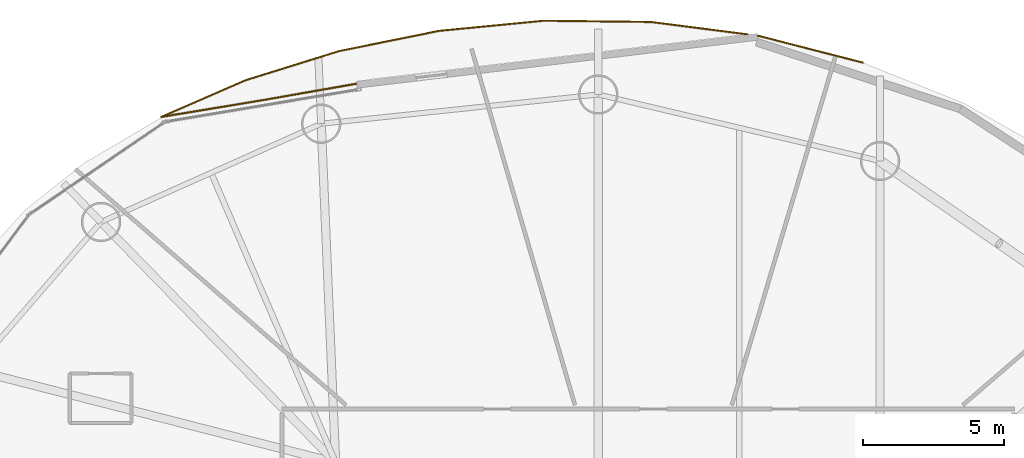
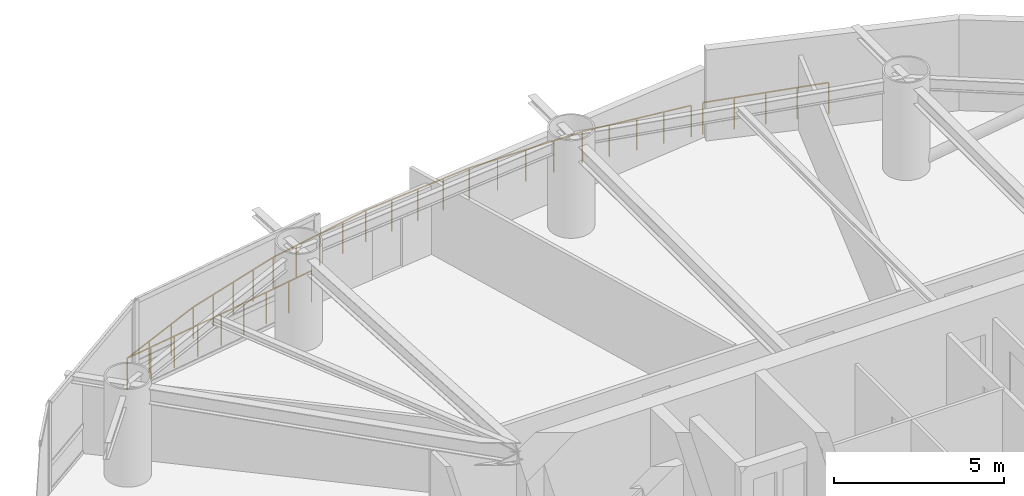
# One storey, part 22 of 22: 9 railings.
"""IFC4 building model written with IfcOpenShell, lengths in metres."""

from ifc_helpers import new_model, si_unit, direction, frame, origin, origin_2d, place, context, subcontext, project, spatial, circle, extrude, material, type_object, element, save


model = new_model("IFC4")

# Units and contexts
model_context = context("Model", 3, precision=1e-05, world=origin(), true_north=direction((0.0, 1.0)))
body_context = subcontext(model_context, "Body", "Model", "MODEL_VIEW")
ifc_project = project(units=[si_unit("LENGTHUNIT", "METRE"), si_unit("AREAUNIT", "SQUARE_METRE"), si_unit("VOLUMEUNIT", "CUBIC_METRE"), si_unit("PLANEANGLEUNIT", "RADIAN"), si_unit("MASSUNIT", "GRAM", prefix="KILO")], contexts=[model_context])

# Site, building, storey
site_placement = place(None, origin())
site = spatial("IfcSite", under=ifc_project, at=site_placement, CompositionType="ELEMENT")
building_placement = place(site_placement, origin())
building = spatial("IfcBuilding", under=site, at=building_placement, Name="Bramvorn Convention Spire", CompositionType="ELEMENT")
storey_placement = place(building_placement, frame((0.0, 0.0, 134.300048828125)))
storey = spatial("IfcBuildingStorey", under=building, at=storey_placement, Name="L33", CompositionType="ELEMENT", Elevation=134.300048828125)

# Railings
ifc_material = material(Name="Bronze Cap-Rail & Laminated Structural Glass Balustrade", Category="glass")
railing_type = type_object("IfcRailingType", Name="RL-TERR-GUARD-1150", PredefinedType="GUARDRAIL", material=ifc_material)
railing_1_placement = place(storey_placement, frame((23.552490234375, 47.02392578125, 0.0)))
element("IfcRailing", 1, at=railing_1_placement, inside=storey, type_object=railing_type, Name="L33 Sky Garden perimeter safety guardrail 1", PredefinedType="GUARDRAIL", context=body_context, shape_type="SweptSolid", body=[
    extrude(circle(Radius=0.02392578125, at=origin_2d()), frame((0.0, 0.0, 1.1259765625), z_axis=(-0.916807458238, -0.39932954376, 0.0), x_axis=(0.39932954376, -0.916807458238, 0.0)), (0.0, 0.0, 1.0), 3.26904296875),
    extrude(circle(Radius=0.02099609375, at=origin_2d()), origin(), (0.0, 0.0, 1.0), 1.101806640625),
    extrude(circle(Radius=0.02099609375, at=origin_2d()), frame((-0.9990234375, -0.43505859375, 0.0)), (0.0, 0.0, 1.0), 1.101806640625),
    extrude(circle(Radius=0.02099609375, at=origin_2d()), frame((-1.998046875, -0.870361328125, 0.0)), (0.0, 0.0, 1.0), 1.101806640625),
    extrude(circle(Radius=0.02099609375, at=origin_2d()), frame((-2.9970703125, -1.305419921875, 0.0)), (0.0, 0.0, 1.0), 1.101806640625),
])
railing_2_placement = place(storey_placement, frame((20.555419921875, 45.718505859375, 0.0)))
element("IfcRailing", 2, at=railing_2_placement, inside=storey, type_object=railing_type, Name="L33 Sky Garden perimeter safety guardrail 2", PredefinedType="GUARDRAIL", context=body_context, shape_type="SweptSolid", body=[
    extrude(circle(Radius=0.02392578125, at=origin_2d()), frame((0.0, 0.0, 1.1259765625), z_axis=(0.986604033942, 0.16313332035, 0.0), x_axis=(-0.16313332035, 0.986604033942, 0.0)), (0.0, 0.0, 1.0), 3.56640625),
    extrude(circle(Radius=0.02099609375, at=origin_2d()), origin(), (0.0, 0.0, 1.0), 1.101806640625),
    extrude(circle(Radius=0.02099609375, at=origin_2d()), frame((0.879638671875, 0.1455078125, 0.0)), (0.0, 0.0, 1.0), 1.101806640625),
    extrude(circle(Radius=0.02099609375, at=origin_2d()), frame((1.75927734375, 0.291015625, 0.0)), (0.0, 0.0, 1.0), 1.101806640625),
    extrude(circle(Radius=0.02099609375, at=origin_2d()), frame((2.638916015625, 0.436279296875, 0.0)), (0.0, 0.0, 1.0), 1.101806640625),
    extrude(circle(Radius=0.02099609375, at=origin_2d()), frame((3.5185546875, 0.581787109375, 0.0)), (0.0, 0.0, 1.0), 1.101806640625),
])
railing_3_placement = place(storey_placement, frame((24.073974609375, 46.30029296875, 0.0)))
element("IfcRailing", 3, at=railing_3_placement, inside=storey, type_object=railing_type, Name="L33 Sky Garden perimeter safety guardrail 3", PredefinedType="GUARDRAIL", context=body_context, shape_type="SweptSolid", body=[
    extrude(circle(Radius=0.02392578125, at=origin_2d()), frame((0.0, 0.0, 1.1259765625), z_axis=(0.984970903461, 0.172720350088, 0.0), x_axis=(-0.172720350088, 0.984970903461, 0.0)), (0.0, 0.0, 1.0), 3.4658203125),
    extrude(circle(Radius=0.02099609375, at=origin_2d()), origin(), (0.0, 0.0, 1.0), 1.101806640625),
    extrude(circle(Radius=0.02099609375, at=origin_2d()), frame((0.853515625, 0.149658203125, 0.0)), (0.0, 0.0, 1.0), 1.101806640625),
    extrude(circle(Radius=0.02099609375, at=origin_2d()), frame((1.70703125, 0.29931640625, 0.0)), (0.0, 0.0, 1.0), 1.101806640625),
    extrude(circle(Radius=0.02099609375, at=origin_2d()), frame((2.560302734375, 0.448974609375, 0.0)), (0.0, 0.0, 1.0), 1.101806640625),
    extrude(circle(Radius=0.02099609375, at=origin_2d()), frame((3.413818359375, 0.5986328125, 0.0)), (0.0, 0.0, 1.0), 1.101806640625),
])
railing_4_placement = place(storey_placement, frame((41.381103515625, 48.65283203125, 0.0)))
element("IfcRailing", 4, at=railing_4_placement, inside=storey, type_object=railing_type, Name="L33 Sky Garden perimeter safety guardrail 4", PredefinedType="GUARDRAIL", context=body_context, shape_type="SweptSolid", body=[
    extrude(circle(Radius=0.02392578125, at=origin_2d()), frame((0.0, 0.0, 1.1259765625), z_axis=(-0.991892129884, 0.127082660795, 0.0), x_axis=(-0.127082660795, -0.991892129884, 0.0)), (0.0, 0.0, 1.0), 3.469482421875),
    extrude(circle(Radius=0.02099609375, at=origin_2d()), origin(), (0.0, 0.0, 1.0), 1.101806640625),
    extrude(circle(Radius=0.02099609375, at=origin_2d()), frame((-0.8603515625, 0.1103515625, 0.0)), (0.0, 0.0, 1.0), 1.101806640625),
    extrude(circle(Radius=0.02099609375, at=origin_2d()), frame((-1.720703125, 0.220458984375, 0.0)), (0.0, 0.0, 1.0), 1.101806640625),
    extrude(circle(Radius=0.02099609375, at=origin_2d()), frame((-2.5810546875, 0.33056640625, 0.0)), (0.0, 0.0, 1.0), 1.101806640625),
    extrude(circle(Radius=0.02099609375, at=origin_2d()), frame((-3.44140625, 0.44091796875, 0.0)), (0.0, 0.0, 1.0), 1.101806640625),
])
railing_5_placement = place(storey_placement, frame((37.939697265625, 49.09375, 0.0)))
element("IfcRailing", 5, at=railing_5_placement, inside=storey, type_object=railing_type, Name="L33 Sky Garden perimeter safety guardrail 5", PredefinedType="GUARDRAIL", context=body_context, shape_type="SweptSolid", body=[
    extrude(circle(Radius=0.02392578125, at=origin_2d()), frame((0.0, 0.0, 1.1259765625), z_axis=(-0.999934049288, 0.01148464516, 0.0), x_axis=(-0.01148464516, -0.999934049288, 0.0)), (0.0, 0.0, 1.0), 3.80517578125),
    extrude(circle(Radius=0.02099609375, at=origin_2d()), origin(), (0.0, 0.0, 1.0), 1.101806640625),
    extrude(circle(Radius=0.02099609375, at=origin_2d()), frame((-0.951171875, 0.010986328125, 0.0)), (0.0, 0.0, 1.0), 1.101806640625),
    extrude(circle(Radius=0.02099609375, at=origin_2d()), frame((-1.90234375, 0.02197265625, 0.0)), (0.0, 0.0, 1.0), 1.101806640625),
    extrude(circle(Radius=0.02099609375, at=origin_2d()), frame((-2.853759765625, 0.03271484375, 0.0)), (0.0, 0.0, 1.0), 1.101806640625),
    extrude(circle(Radius=0.02099609375, at=origin_2d()), frame((-3.804931640625, 0.043701171875, 0.0)), (0.0, 0.0, 1.0), 1.101806640625),
])
railing_6_placement = place(storey_placement, frame((34.134765625, 49.137451171875, 0.0)))
element("IfcRailing", 6, at=railing_6_placement, inside=storey, type_object=railing_type, Name="L33 Sky Garden perimeter safety guardrail 6", PredefinedType="GUARDRAIL", context=body_context, shape_type="SweptSolid", body=[
    extrude(circle(Radius=0.02392578125, at=origin_2d()), frame((0.0, 0.0, 1.1259765625), z_axis=(-0.995329588824, -0.096535017539, 0.0), x_axis=(0.096535017539, -0.995329588824, 0.0)), (0.0, 0.0, 1.0), 3.738037109375),
    extrude(circle(Radius=0.02099609375, at=origin_2d()), origin(), (0.0, 0.0, 1.0), 1.101806640625),
    extrude(circle(Radius=0.02099609375, at=origin_2d()), frame((-0.93017578125, -0.09033203125, 0.0)), (0.0, 0.0, 1.0), 1.101806640625),
    extrude(circle(Radius=0.02099609375, at=origin_2d()), frame((-1.8603515625, -0.180419921875, 0.0)), (0.0, 0.0, 1.0), 1.101806640625),
    extrude(circle(Radius=0.02099609375, at=origin_2d()), frame((-2.790283203125, -0.2705078125, 0.0)), (0.0, 0.0, 1.0), 1.101806640625),
    extrude(circle(Radius=0.02099609375, at=origin_2d()), frame((-3.720458984375, -0.36083984375, 0.0)), (0.0, 0.0, 1.0), 1.101806640625),
])
railing_7_placement = place(storey_placement, frame((30.414306640625, 48.776611328125, 0.0)))
element("IfcRailing", 7, at=railing_7_placement, inside=storey, type_object=railing_type, Name="L33 Sky Garden perimeter safety guardrail 7", PredefinedType="GUARDRAIL", context=body_context, shape_type="SweptSolid", body=[
    extrude(circle(Radius=0.02392578125, at=origin_2d()), frame((0.0, 0.0, 1.1259765625), z_axis=(-0.980082857697, -0.198589002841, 0.0), x_axis=(0.198589002841, -0.980082857697, 0.0)), (0.0, 0.0, 1.0), 3.62548828125),
    extrude(circle(Radius=0.02099609375, at=origin_2d()), origin(), (0.0, 0.0, 1.0), 1.101806640625),
    extrude(circle(Radius=0.02099609375, at=origin_2d()), frame((-0.88818359375, -0.179931640625, 0.0)), (0.0, 0.0, 1.0), 1.101806640625),
    extrude(circle(Radius=0.02099609375, at=origin_2d()), frame((-1.776611328125, -0.35986328125, 0.0)), (0.0, 0.0, 1.0), 1.101806640625),
    extrude(circle(Radius=0.02099609375, at=origin_2d()), frame((-2.6650390625, -0.5400390625, 0.0)), (0.0, 0.0, 1.0), 1.101806640625),
    extrude(circle(Radius=0.02099609375, at=origin_2d()), frame((-3.55322265625, -0.719970703125, 0.0)), (0.0, 0.0, 1.0), 1.101806640625),
])
railing_8_placement = place(storey_placement, frame((26.861083984375, 48.056640625, 0.0)))
element("IfcRailing", 8, at=railing_8_placement, inside=storey, type_object=railing_type, Name="L33 Sky Garden perimeter safety guardrail 8", PredefinedType="GUARDRAIL", context=body_context, shape_type="SweptSolid", body=[
    extrude(circle(Radius=0.02392578125, at=origin_2d()), frame((0.0, 0.0, 1.1259765625), z_axis=(-0.954580192185, -0.297954118428, 0.0), x_axis=(0.297954118428, -0.954580192185, 0.0)), (0.0, 0.0, 1.0), 3.466064453125),
    extrude(circle(Radius=0.02099609375, at=origin_2d()), origin(), (0.0, 0.0, 1.0), 1.101806640625),
    extrude(circle(Radius=0.02099609375, at=origin_2d()), frame((-0.8271484375, -0.25830078125, 0.0)), (0.0, 0.0, 1.0), 1.101806640625),
    extrude(circle(Radius=0.02099609375, at=origin_2d()), frame((-1.654296875, -0.516357421875, 0.0)), (0.0, 0.0, 1.0), 1.101806640625),
    extrude(circle(Radius=0.02099609375, at=origin_2d()), frame((-2.4814453125, -0.7744140625, 0.0)), (0.0, 0.0, 1.0), 1.101806640625),
    extrude(circle(Radius=0.02099609375, at=origin_2d()), frame((-3.30859375, -1.03271484375, 0.0)), (0.0, 0.0, 1.0), 1.101806640625),
])
railing_9_placement = place(storey_placement, frame((41.745361328125, 48.606201171875, 0.0)))
element("IfcRailing", 9, at=railing_9_placement, inside=storey, type_object=railing_type, Name="L33 Sky Garden junction edge safety guardrail 9", PredefinedType="GUARDRAIL", context=body_context, shape_type="SweptSolid", body=[
    extrude(circle(Radius=0.02392578125, at=origin_2d()), frame((0.0, 0.0, 1.1259765625), z_axis=(0.968557646527, -0.248789238824, 0.0), x_axis=(0.248789238824, 0.968557646527, 0.0)), (0.0, 0.0, 1.0), 3.845703125),
    extrude(circle(Radius=0.02099609375, at=origin_2d()), origin(), (0.0, 0.0, 1.0), 1.101806640625),
    extrude(circle(Radius=0.02099609375, at=origin_2d()), frame((0.93115234375, -0.2392578125, 0.0)), (0.0, 0.0, 1.0), 1.101806640625),
    extrude(circle(Radius=0.02099609375, at=origin_2d()), frame((1.8623046875, -0.478515625, 0.0)), (0.0, 0.0, 1.0), 1.101806640625),
    extrude(circle(Radius=0.02099609375, at=origin_2d()), frame((2.793701171875, -0.717529296875, 0.0)), (0.0, 0.0, 1.0), 1.101806640625),
    extrude(circle(Radius=0.02099609375, at=origin_2d()), frame((3.724853515625, -0.956787109375, 0.0)), (0.0, 0.0, 1.0), 1.101806640625),
])

save(model, "model.ifc")
